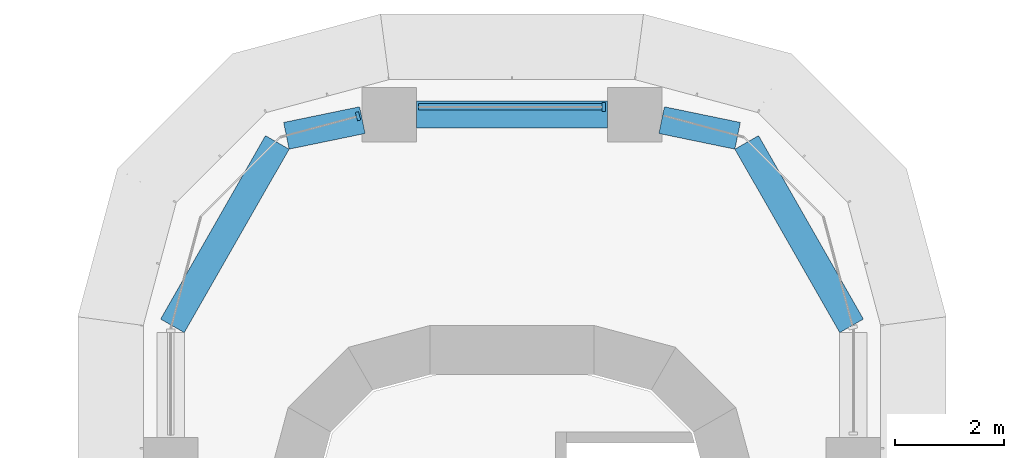
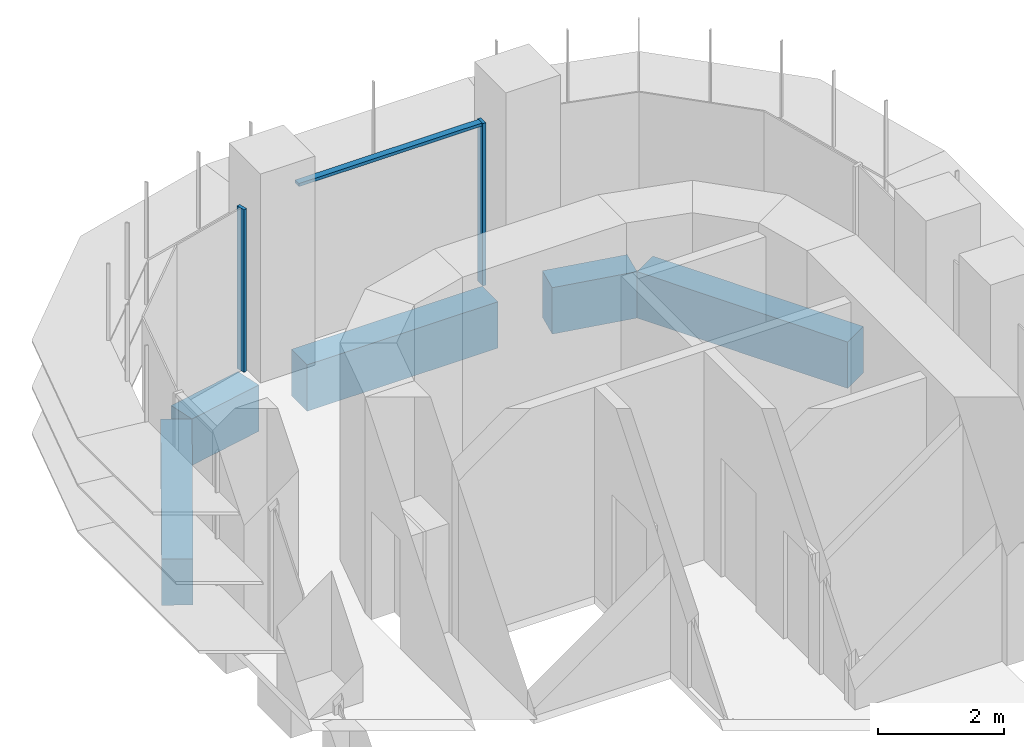
# One storey, part 12 of 23: 5 beams, 3 members, 2 elements without a shape of their own.
"""IFC4 building model written with IfcOpenShell, lengths in metres."""

from ifc_helpers import new_model, si_unit, direction, frame, origin, origin_2d, place, context, subcontext, project, spatial, polyline, rectangle, outline, extrude, source, transform, mapped, material, material_profile, profile_set, type_object, element, aggregate, save


model = new_model("IFC4")

# Units and contexts
model_context = context("Model", 3, precision=1e-05, world=origin(), true_north=direction((0.0, 1.0)))
body_context = subcontext(model_context, "Body", "Model", "MODEL_VIEW")
ifc_project = project(units=[si_unit("LENGTHUNIT", "METRE"), si_unit("AREAUNIT", "SQUARE_METRE"), si_unit("VOLUMEUNIT", "CUBIC_METRE"), si_unit("PLANEANGLEUNIT", "RADIAN"), si_unit("MASSUNIT", "GRAM", prefix="KILO")], contexts=[model_context])

# Site, building, storey
site_placement = place(None, origin())
site = spatial("IfcSite", under=ifc_project, at=site_placement, CompositionType="ELEMENT")
building_placement = place(site_placement, origin())
building = spatial("IfcBuilding", under=site, at=building_placement, Name="Zarbagh Exchange Tower", CompositionType="ELEMENT")
storey_placement = place(building_placement, frame((0.0, 0.0, 77.39990234375)))
storey = spatial("IfcBuildingStorey", under=building, at=storey_placement, Name="L17", CompositionType="ELEMENT", Elevation=77.39990234375)

# Beams
ifc_material_1 = material(Name="Concrete C60/75", Category="concrete")
ifc_material_profile = material_profile(ifc_material_1, rectangle(XDim=0.5, YDim=0.89990234375, at=origin_2d()), Name="RC spandrel beam 500 x 900 C60/75")
ifc_profile_set = profile_set([ifc_material_profile], Name="Concrete C60/75")
beam_type = type_object("IfcBeamType", Name="RC spandrel beam 500 x 900 C60/75", PredefinedType="SPANDREL", material=ifc_profile_set)
beam_1_placement = place(storey_placement, frame((-6.217041015625, 29.24169921875, -0.599853515625), z_axis=(0.496220481126, 0.868196541177, 0.0), x_axis=(-0.868196541177, 0.496220481126, 0.0)))
element("IfcBeam", 1, at=beam_1_placement, inside=storey, type_object=beam_type, Name="RC spandrel beam", PredefinedType="SPANDREL", context=body_context, shape_type="SweptSolid", body=[
    extrude(rectangle(XDim=0.5, YDim=0.89990234375, at=origin_2d()), origin(), (0.0, 0.0, 1.0), 3.869140625),
])
beam_2_placement = place(storey_placement, frame((-4.130615234375, 32.7216796875, -0.599853515625), z_axis=(0.979352054934, 0.202162193541, 0.0), x_axis=(-0.202162193541, 0.979352054934, 0.0)))
element("IfcBeam", 2, at=beam_2_placement, inside=storey, type_object=beam_type, Name="RC spandrel beam", PredefinedType="SPANDREL", context=body_context, shape_type="SweptSolid", body=[
    extrude(rectangle(XDim=0.5, YDim=0.89990234375, at=origin_2d()), origin(), (0.0, 0.0, 1.0), 1.420166015625),
])
beam_3_placement = place(storey_placement, frame((-1.75, 33.110107421875, -0.599853515625), z_axis=(1.0, 0.0, 0.0), x_axis=(0.0, 1.0, 0.0)))
element("IfcBeam", 3, at=beam_3_placement, inside=storey, type_object=beam_type, Name="RC spandrel beam", PredefinedType="SPANDREL", context=body_context, shape_type="SweptSolid", body=[
    extrude(rectangle(XDim=0.5, YDim=0.89990234375, at=origin_2d()), origin(), (0.0, 0.0, 1.0), 3.5),
])
beam_4_placement = place(storey_placement, frame((2.73974609375, 33.0087890625, -0.599853515625), z_axis=(0.979352054934, -0.202162193541, 0.0), x_axis=(0.202162193541, 0.979352054934, 0.0)))
element("IfcBeam", 4, at=beam_4_placement, inside=storey, type_object=beam_type, Name="RC spandrel beam", PredefinedType="SPANDREL", context=body_context, shape_type="SweptSolid", body=[
    extrude(rectangle(XDim=0.5, YDim=0.89990234375, at=origin_2d()), origin(), (0.0, 0.0, 1.0), 1.420166015625),
])
beam_5_placement = place(storey_placement, frame((4.297119140625, 32.600830078125, -0.599853515625), z_axis=(0.496220481126, -0.868196541177, 0.0), x_axis=(0.868196541177, 0.496220481126, 0.0)))
element("IfcBeam", 5, at=beam_5_placement, inside=storey, type_object=beam_type, Name="RC spandrel beam", PredefinedType="SPANDREL", context=body_context, shape_type="SweptSolid", body=[
    extrude(rectangle(XDim=0.5, YDim=0.89990234375, at=origin_2d()), origin(), (0.0, 0.0, 1.0), 3.869140625),
])

# Curtain wall, member
ifc_material_2 = material(Name="Anodised aluminium frame and glazing", Category="aluminium")
curtain_wall_type = type_object("IfcCurtainWallType", Name="CWA Ribbon glazing, lower zones", PredefinedType="NOTDEFINED", material=ifc_material_2)
curtain_wall_1_placement = place(storey_placement, origin())
curtain_wall_1 = element("IfcCurtainWall", 6, at=curtain_wall_1_placement, inside=storey, type_object=curtain_wall_type, Name="CWA24 curtain wall", PredefinedType="NOTDEFINED")
ifc_material_3 = material(Name="Anodised aluminium frame", Category="aluminium")
member_type_1 = type_object("IfcMemberType", Name="MUA Mullion, anodised aluminium frame", PredefinedType="MULLION", material=ifc_material_3)
shared_shape_1 = source(origin(), body_context, "Body", "SweptSolid", [
    extrude(outline(polyline([(0.0, -0.080078125), (0.06005859375, -0.080078125), (0.06005859375, 0.080078125), (0.0, 0.080078125), (0.0, -0.080078125)])), origin(), (0.0, 0.0, 1.0), 3.14990234375),
])
placement = place(storey_placement, origin())
member_1 = element("IfcMember", 7, at=placement, type_object=member_type_1, Name="CWA24 mullion 1.1", PredefinedType="MULLION", context=body_context, shape_type="MappedRepresentation", body=[
    mapped(shared_shape_1, transform((1.7099609375, 33.25, 0.0), x_axis=(-1.0, 0.0, 0.0), y_axis=(0.0, -1.0, 0.0), z_axis=(0.0, 0.0, 1.0))),
])

curtain_wall_2_placement = place(storey_placement, origin())
curtain_wall_2 = element("IfcCurtainWall", 8, at=curtain_wall_2_placement, inside=storey, type_object=curtain_wall_type, Name="CWA25 curtain wall", PredefinedType="NOTDEFINED")
member_2 = element("IfcMember", 9, at=placement, type_object=member_type_1, Name="CWA25 mullion 1.1", PredefinedType="MULLION", context=body_context, shape_type="MappedRepresentation", body=[
    mapped(shared_shape_1, transform((-2.7900390625, 33.087646484375, 0.0), x_axis=(-0.965924289636, -0.258824779902, 0.0), y_axis=(0.258824779902, -0.965924289636, 0.0), z_axis=(0.0, 0.0, 1.0))),
])
aggregate(curtain_wall_2, [member_2])

# Member
member_type_2 = type_object("IfcMemberType", Name="TRA Transom, anodised aluminium frame", PredefinedType="USERDEFINED", material=ifc_material_3)
shared_shape_2 = source(origin(), body_context, "Body", "SweptSolid", [
    extrude(outline(polyline([(-0.06005859375, -0.06005859375), (0.0, -0.06005859375), (0.0, 0.06005859375), (-0.06005859375, 0.06005859375), (-0.06005859375, -0.06005859375)])), origin(), (0.0, 0.0, 1.0), 3.360107421875),
])
member_3 = element("IfcMember", 10, at=placement, type_object=member_type_2, Name="CWA24 transom 1.1", ObjectType="TRANSOM", PredefinedType="USERDEFINED", context=body_context, shape_type="MappedRepresentation", body=[
    mapped(shared_shape_2, transform((1.64990234375, 33.25, 3.150146484375), x_axis=(0.0, 0.0, 1.0), y_axis=(0.0, 1.0, 0.0), z_axis=(-1.0, 0.0, 0.0))),
])

aggregate(curtain_wall_1, [member_1, member_3])

save(model, "model.ifc")
